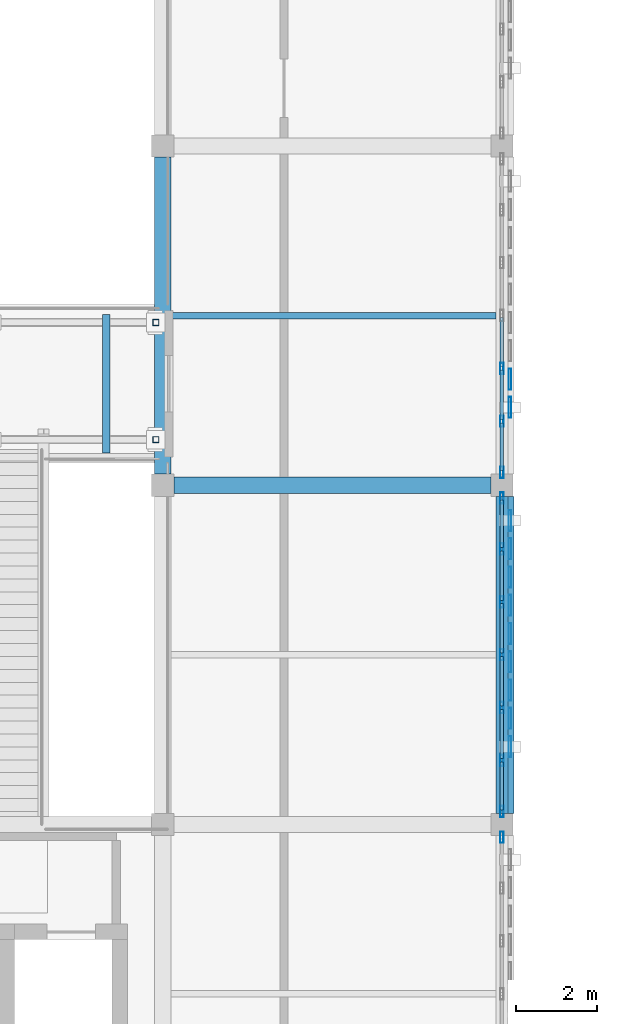
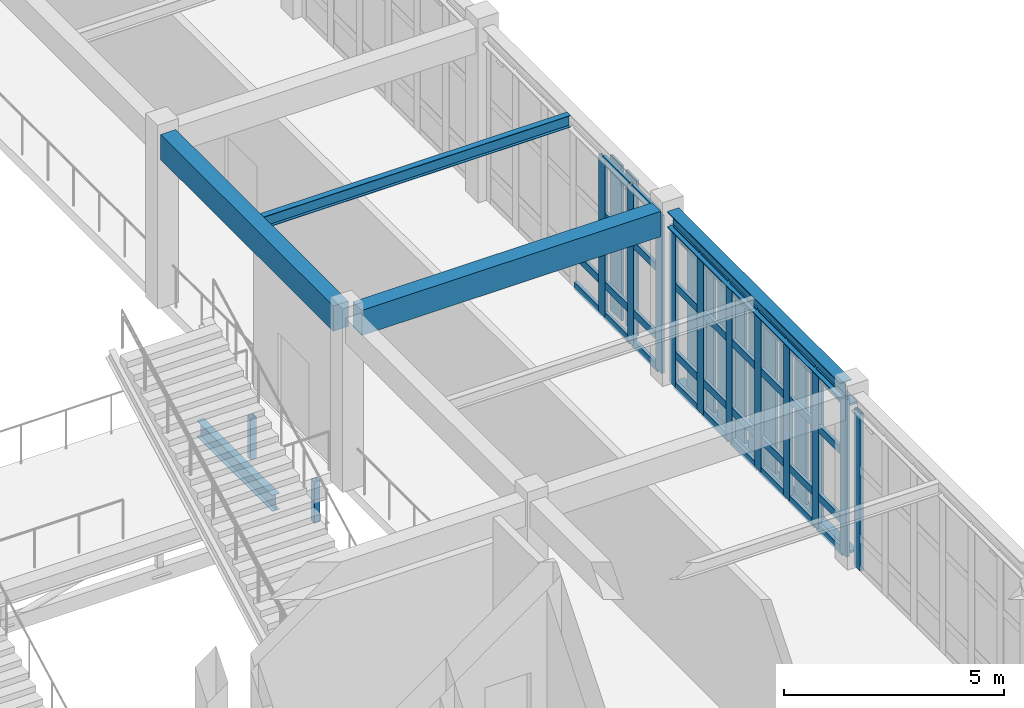
# One storey, part 22 of 93: 60 members, 5 beams, 3 elements without a shape of their own.
"""IFC4 building model written with IfcOpenShell, lengths in metres."""

from ifc_helpers import new_model, si_unit, direction, frame, origin, origin_2d, place, context, subcontext, project, spatial, rectangle, hollow_rectangle, i_section, extrude, material, layer, layer_set, material_profile, profile_set, type_object, element, aggregate, save


model = new_model("IFC4")

# Units and contexts
model_context = context("Model", 3, precision=1e-05, world=origin(), true_north=direction((0.0, 1.0)))
body_context = subcontext(model_context, "Body", "Model", "MODEL_VIEW")
ifc_project = project(units=[si_unit("LENGTHUNIT", "METRE"), si_unit("AREAUNIT", "SQUARE_METRE"), si_unit("VOLUMEUNIT", "CUBIC_METRE"), si_unit("PLANEANGLEUNIT", "RADIAN"), si_unit("MASSUNIT", "GRAM", prefix="KILO")], contexts=[model_context])

# Site, building, storey
site_placement = place(None, origin())
site = spatial("IfcSite", under=ifc_project, at=site_placement, CompositionType="ELEMENT")
building_placement = place(site_placement, origin())
building = spatial("IfcBuilding", under=site, at=building_placement, Name="Krzemoval Escarpment Law Courts", CompositionType="ELEMENT")
storey_placement = place(building_placement, frame((0.0, 0.0, 10.199951171875)))
storey = spatial("IfcBuildingStorey", under=building, at=storey_placement, Name="L02", CompositionType="ELEMENT", Elevation=10.199951171875)

# Beams
ifc_material_1 = material(Name="Concrete C40/50", Category="concrete")
ifc_material_profile_1 = material_profile(ifc_material_1, rectangle(XDim=0.39990234375, YDim=0.699951171875, at=origin_2d()), Name="RCB 400x700")
ifc_profile_set_1 = profile_set([ifc_material_profile_1], Name="Concrete C40/50")
beam_type_1 = type_object("IfcBeamType", Name="BM-RC-400x700", PredefinedType="BEAM", material=ifc_profile_set_1)
for number, where, z_axis, x_axis, name in (
    (1, (33.875, 57.60009765625, 4.469970703125), (1.0, 0.0, 0.0), (0.0, 1.0, 0.0), "Beam FG-L02-1793"),
    (2, (33.60009765625, 57.875, 4.469970703125), (0.0, 1.0, 0.0), (-1.0, 0.0, 0.0), "Beam FG-L02-1897"),
):
    element("IfcBeam", number, at=place(storey_placement, frame(where, z_axis=z_axis, x_axis=x_axis)), inside=storey, type_object=beam_type_1, Name=name, PredefinedType="BEAM", context=body_context, shape_type="SweptSolid", body=[
        extrude(rectangle(XDim=0.39990234375, YDim=0.699951171875, at=origin_2d()), origin(), (0.0, 0.0, 1.0), 7.85009765625),
    ])
ifc_material_2 = material(Name="Steel S355", Category="steel")
ifc_material_profile_2 = material_profile(ifc_material_2, i_section(OverallWidth=0.18994140625, OverallDepth=0.449951171875, WebThickness=0.009521484375, FlangeThickness=0.0146484375, at=origin_2d()), Name="IPE 450")
ifc_profile_set_2 = profile_set([ifc_material_profile_2], Name="Steel S355")
beam_type_2 = type_object("IfcBeamType", Name="BM-S355-IPE450", PredefinedType="BEAM", material=ifc_profile_set_2)
beam_1_placement = place(storey_placement, frame((32.199951171875, 58.39990234375, -0.52490234375), z_axis=(0.0, 1.0, 0.0), x_axis=(-1.0, 0.0, 0.0)))
element("IfcBeam", 3, at=beam_1_placement, inside=storey, type_object=beam_type_2, Name="Bridge Cross Beam BBM-2840", PredefinedType="BEAM", context=body_context, shape_type="SweptSolid", body=[
    extrude(i_section(OverallWidth=0.18994140625, OverallDepth=0.449951171875, WebThickness=0.009521484375, FlangeThickness=0.0146484375, at=origin_2d()), origin(), (0.0, 0.0, 1.0), 3.43017578125),
])

# Curtain wall, members
ifc_material_3 = material(Name="Aluminium 6063-T6", Category="aluminium")
ifc_layer = layer(ifc_material_3, 0.280029296875)
ifc_layer_set = layer_set([ifc_layer], Name="Aluminium 6063-T6")
curtain_wall_type = type_object("IfcCurtainWallType", Name="CW-HALL-5100", PredefinedType="USERDEFINED", material=ifc_layer_set)
curtain_wall_1_placement = place(storey_placement, origin())
curtain_wall_1 = element("IfcCurtainWall", 4, at=curtain_wall_1_placement, inside=storey, type_object=curtain_wall_type, Name="Unitised Curtain Wall FCW-L02-078", ObjectType="UNITISED_CURTAIN_WALL", PredefinedType="USERDEFINED")
ifc_material_4 = material(Name="Aluminium 6063-T6", Category="aluminium")
ifc_material_profile_3 = material_profile(ifc_material_4, hollow_rectangle(XDim=0.0849609375, YDim=0.280029296875, WallThickness=0.005615234375, at=origin_2d()), Name="ALU M85x280")
ifc_profile_set_3 = profile_set([ifc_material_profile_3], Name="Aluminium 6063-T6")
member_type_1 = type_object("IfcMemberType", Name="CWM-85x280", PredefinedType="MULLION", material=ifc_profile_set_3)
member_1_placement = place(storey_placement, frame((42.0, 60.49169921875, 0.0), z_axis=(0.0, 0.0, 1.0), x_axis=(1.0, 0.0, 0.0)))
member_1 = element("IfcMember", 5, at=member_1_placement, type_object=member_type_1, Name="FCW-L02-078 mullion 5", PredefinedType="MULLION", context=body_context, shape_type="SweptSolid", body=[
    extrude(hollow_rectangle(XDim=0.0849609375, YDim=0.280029296875, WallThickness=0.005615234375, at=origin_2d()), origin(), (0.0, 0.0, 1.0), 4.3701171875),
])
member_2_placement = place(storey_placement, frame((42.0, 59.183349609375, 0.0), z_axis=(0.0, 0.0, 1.0), x_axis=(1.0, 0.0, 0.0)))
member_2 = element("IfcMember", 6, at=member_2_placement, type_object=member_type_1, Name="FCW-L02-078 mullion 6", PredefinedType="MULLION", context=body_context, shape_type="SweptSolid", body=[
    extrude(hollow_rectangle(XDim=0.0849609375, YDim=0.280029296875, WallThickness=0.005615234375, at=origin_2d()), origin(), (0.0, 0.0, 1.0), 4.3701171875),
])
member_3_placement = place(storey_placement, frame((42.0, 57.91748046875, 0.0), z_axis=(0.0, 0.0, 1.0), x_axis=(1.0, 0.0, 0.0)))
member_3 = element("IfcMember", 7, at=member_3_placement, type_object=member_type_1, Name="FCW-L02-078 mullion 7", PredefinedType="MULLION", context=body_context, shape_type="SweptSolid", body=[
    extrude(hollow_rectangle(XDim=0.0849609375, YDim=0.280029296875, WallThickness=0.005615234375, at=origin_2d()), origin(), (0.0, 0.0, 1.0), 4.3701171875),
])

curtain_wall_2_placement = place(storey_placement, origin())
curtain_wall_2 = element("IfcCurtainWall", 8, at=curtain_wall_2_placement, inside=storey, type_object=curtain_wall_type, Name="Unitised Curtain Wall FCW-L02-079", ObjectType="UNITISED_CURTAIN_WALL", PredefinedType="USERDEFINED")
member_4_placement = place(storey_placement, frame((42.0, 57.282470703125, 0.0), z_axis=(0.0, 0.0, 1.0), x_axis=(1.0, 0.0, 0.0)))
member_4 = element("IfcMember", 9, at=member_4_placement, type_object=member_type_1, Name="FCW-L02-079 mullion 1", PredefinedType="MULLION", context=body_context, shape_type="SweptSolid", body=[
    extrude(hollow_rectangle(XDim=0.0849609375, YDim=0.280029296875, WallThickness=0.005615234375, at=origin_2d()), origin(), (0.0, 0.0, 1.0), 4.3701171875),
])
member_5_placement = place(storey_placement, frame((42.0, 56.0166015625, 0.0), z_axis=(0.0, 0.0, 1.0), x_axis=(1.0, 0.0, 0.0)))
member_5 = element("IfcMember", 10, at=member_5_placement, type_object=member_type_1, Name="FCW-L02-079 mullion 2", PredefinedType="MULLION", context=body_context, shape_type="SweptSolid", body=[
    extrude(hollow_rectangle(XDim=0.0849609375, YDim=0.280029296875, WallThickness=0.005615234375, at=origin_2d()), origin(), (0.0, 0.0, 1.0), 4.3701171875),
])
member_6_placement = place(storey_placement, frame((42.0, 54.708251953125, 0.0), z_axis=(0.0, 0.0, 1.0), x_axis=(1.0, 0.0, 0.0)))
member_6 = element("IfcMember", 11, at=member_6_placement, type_object=member_type_1, Name="FCW-L02-079 mullion 3", PredefinedType="MULLION", context=body_context, shape_type="SweptSolid", body=[
    extrude(hollow_rectangle(XDim=0.0849609375, YDim=0.280029296875, WallThickness=0.005615234375, at=origin_2d()), origin(), (0.0, 0.0, 1.0), 4.3701171875),
])
member_7_placement = place(storey_placement, frame((42.0, 53.39990234375, 0.0), z_axis=(0.0, 0.0, 1.0), x_axis=(1.0, 0.0, 0.0)))
member_7 = element("IfcMember", 12, at=member_7_placement, type_object=member_type_1, Name="FCW-L02-079 mullion 4", PredefinedType="MULLION", context=body_context, shape_type="SweptSolid", body=[
    extrude(hollow_rectangle(XDim=0.0849609375, YDim=0.280029296875, WallThickness=0.005615234375, at=origin_2d()), origin(), (0.0, 0.0, 1.0), 4.3701171875),
])
member_8_placement = place(storey_placement, frame((42.0, 52.091552734375, 0.0), z_axis=(0.0, 0.0, 1.0), x_axis=(1.0, 0.0, 0.0)))
member_8 = element("IfcMember", 13, at=member_8_placement, type_object=member_type_1, Name="FCW-L02-079 mullion 5", PredefinedType="MULLION", context=body_context, shape_type="SweptSolid", body=[
    extrude(hollow_rectangle(XDim=0.0849609375, YDim=0.280029296875, WallThickness=0.005615234375, at=origin_2d()), origin(), (0.0, 0.0, 1.0), 4.3701171875),
])
member_9_placement = place(storey_placement, frame((42.0, 50.783447265625, 0.0), z_axis=(0.0, 0.0, 1.0), x_axis=(1.0, 0.0, 0.0)))
member_9 = element("IfcMember", 14, at=member_9_placement, type_object=member_type_1, Name="FCW-L02-079 mullion 6", PredefinedType="MULLION", context=body_context, shape_type="SweptSolid", body=[
    extrude(hollow_rectangle(XDim=0.0849609375, YDim=0.280029296875, WallThickness=0.005615234375, at=origin_2d()), origin(), (0.0, 0.0, 1.0), 4.3701171875),
])
member_10_placement = place(storey_placement, frame((42.0, 49.517578125, 0.0), z_axis=(0.0, 0.0, 1.0), x_axis=(1.0, 0.0, 0.0)))
member_10 = element("IfcMember", 15, at=member_10_placement, type_object=member_type_1, Name="FCW-L02-079 mullion 7", PredefinedType="MULLION", context=body_context, shape_type="SweptSolid", body=[
    extrude(hollow_rectangle(XDim=0.0849609375, YDim=0.280029296875, WallThickness=0.005615234375, at=origin_2d()), origin(), (0.0, 0.0, 1.0), 4.3701171875),
])

# Curtain wall, member
curtain_wall_3_placement = place(storey_placement, origin())
curtain_wall_3 = element("IfcCurtainWall", 16, at=curtain_wall_3_placement, inside=storey, type_object=curtain_wall_type, Name="Unitised Curtain Wall FCW-L02-080", ObjectType="UNITISED_CURTAIN_WALL", PredefinedType="USERDEFINED")
member_11_placement = place(storey_placement, frame((42.0, 48.882568359375, 0.0), z_axis=(0.0, 0.0, 1.0), x_axis=(1.0, 0.0, 0.0)))
member_11 = element("IfcMember", 17, at=member_11_placement, type_object=member_type_1, Name="FCW-L02-080 mullion 1", PredefinedType="MULLION", context=body_context, shape_type="SweptSolid", body=[
    extrude(hollow_rectangle(XDim=0.0849609375, YDim=0.280029296875, WallThickness=0.005615234375, at=origin_2d()), origin(), (0.0, 0.0, 1.0), 4.3701171875),
])
aggregate(curtain_wall_3, [member_11])

# Member
ifc_material_5 = material(Name="Aluminium 6063-T6", Category="aluminium")
ifc_material_profile_4 = material_profile(ifc_material_5, hollow_rectangle(XDim=0.0849609375, YDim=0.2099609375, WallThickness=0.005615234375, at=origin_2d()), Name="ALU T85x210")
ifc_profile_set_4 = profile_set([ifc_material_profile_4], Name="Aluminium 6063-T6")
member_type_2 = type_object("IfcMemberType", Name="CWT-85x210", PredefinedType="USERDEFINED", material=ifc_profile_set_4)
member_12_placement = place(storey_placement, frame((42.0, 61.757568359375, 0.04248046875), z_axis=(0.0, -1.0, 0.0), x_axis=(1.0, 0.0, 0.0)))
member_12 = element("IfcMember", 18, at=member_12_placement, type_object=member_type_2, Name="FCW-L02-078 transom 4.1", ObjectType="TRANSOM", PredefinedType="USERDEFINED", context=body_context, shape_type="SweptSolid", body=[
    extrude(hollow_rectangle(XDim=0.0849609375, YDim=0.2099609375, WallThickness=0.005615234375, at=origin_2d()), origin(), (0.0, 0.0, 1.0), 1.223388671875),
])

member_13_placement = place(storey_placement, frame((42.0, 61.757568359375, 0.900146484375), z_axis=(0.0, -1.0, 0.0), x_axis=(1.0, 0.0, 0.0)))
member_13 = element("IfcMember", 19, at=member_13_placement, type_object=member_type_2, Name="FCW-L02-078 transom 4.2", ObjectType="TRANSOM", PredefinedType="USERDEFINED", context=body_context, shape_type="SweptSolid", body=[
    extrude(hollow_rectangle(XDim=0.0849609375, YDim=0.2099609375, WallThickness=0.005615234375, at=origin_2d()), origin(), (0.0, 0.0, 1.0), 1.223388671875),
])

member_14_placement = place(storey_placement, frame((42.0, 60.44921875, 0.04248046875), z_axis=(0.0, -1.0, 0.0), x_axis=(1.0, 0.0, 0.0)))
member_14 = element("IfcMember", 20, at=member_14_placement, type_object=member_type_2, Name="FCW-L02-078 transom 5.1", ObjectType="TRANSOM", PredefinedType="USERDEFINED", context=body_context, shape_type="SweptSolid", body=[
    extrude(hollow_rectangle(XDim=0.0849609375, YDim=0.2099609375, WallThickness=0.005615234375, at=origin_2d()), origin(), (0.0, 0.0, 1.0), 1.223388671875),
])

member_15_placement = place(storey_placement, frame((42.0, 60.44921875, 0.900146484375), z_axis=(0.0, -1.0, 0.0), x_axis=(1.0, 0.0, 0.0)))
member_15 = element("IfcMember", 21, at=member_15_placement, type_object=member_type_2, Name="FCW-L02-078 transom 5.2", ObjectType="TRANSOM", PredefinedType="USERDEFINED", context=body_context, shape_type="SweptSolid", body=[
    extrude(hollow_rectangle(XDim=0.0849609375, YDim=0.2099609375, WallThickness=0.005615234375, at=origin_2d()), origin(), (0.0, 0.0, 1.0), 1.223388671875),
])

member_16_placement = place(storey_placement, frame((42.0, 60.44921875, 2.800048828125), z_axis=(0.0, -1.0, 0.0), x_axis=(1.0, 0.0, 0.0)))
member_16 = element("IfcMember", 22, at=member_16_placement, type_object=member_type_2, Name="FCW-L02-078 transom 5.3", ObjectType="TRANSOM", PredefinedType="USERDEFINED", context=body_context, shape_type="SweptSolid", body=[
    extrude(hollow_rectangle(XDim=0.0849609375, YDim=0.2099609375, WallThickness=0.005615234375, at=origin_2d()), origin(), (0.0, 0.0, 1.0), 1.223388671875),
])

member_17_placement = place(storey_placement, frame((42.0, 60.44921875, 4.32763671875), z_axis=(0.0, -1.0, 0.0), x_axis=(1.0, 0.0, 0.0)))
member_17 = element("IfcMember", 23, at=member_17_placement, type_object=member_type_2, Name="FCW-L02-078 transom 5.4", ObjectType="TRANSOM", PredefinedType="USERDEFINED", context=body_context, shape_type="SweptSolid", body=[
    extrude(hollow_rectangle(XDim=0.0849609375, YDim=0.2099609375, WallThickness=0.005615234375, at=origin_2d()), origin(), (0.0, 0.0, 1.0), 1.223388671875),
])

member_18_placement = place(storey_placement, frame((42.0, 59.140869140625, 0.04248046875), z_axis=(0.0, -1.0, 0.0), x_axis=(1.0, 0.0, 0.0)))
member_18 = element("IfcMember", 24, at=member_18_placement, type_object=member_type_2, Name="FCW-L02-078 transom 6.1", ObjectType="TRANSOM", PredefinedType="USERDEFINED", context=body_context, shape_type="SweptSolid", body=[
    extrude(hollow_rectangle(XDim=0.0849609375, YDim=0.2099609375, WallThickness=0.005615234375, at=origin_2d()), origin(), (0.0, 0.0, 1.0), 1.180908203125),
])

member_19_placement = place(storey_placement, frame((42.0, 59.140869140625, 0.900146484375), z_axis=(0.0, -1.0, 0.0), x_axis=(1.0, 0.0, 0.0)))
member_19 = element("IfcMember", 25, at=member_19_placement, type_object=member_type_2, Name="FCW-L02-078 transom 6.2", ObjectType="TRANSOM", PredefinedType="USERDEFINED", context=body_context, shape_type="SweptSolid", body=[
    extrude(hollow_rectangle(XDim=0.0849609375, YDim=0.2099609375, WallThickness=0.005615234375, at=origin_2d()), origin(), (0.0, 0.0, 1.0), 1.180908203125),
])

member_20_placement = place(storey_placement, frame((42.0, 59.140869140625, 2.800048828125), z_axis=(0.0, -1.0, 0.0), x_axis=(1.0, 0.0, 0.0)))
member_20 = element("IfcMember", 26, at=member_20_placement, type_object=member_type_2, Name="FCW-L02-078 transom 6.3", ObjectType="TRANSOM", PredefinedType="USERDEFINED", context=body_context, shape_type="SweptSolid", body=[
    extrude(hollow_rectangle(XDim=0.0849609375, YDim=0.2099609375, WallThickness=0.005615234375, at=origin_2d()), origin(), (0.0, 0.0, 1.0), 1.180908203125),
])

member_21_placement = place(storey_placement, frame((42.0, 59.140869140625, 4.32763671875), z_axis=(0.0, -1.0, 0.0), x_axis=(1.0, 0.0, 0.0)))
member_21 = element("IfcMember", 27, at=member_21_placement, type_object=member_type_2, Name="FCW-L02-078 transom 6.4", ObjectType="TRANSOM", PredefinedType="USERDEFINED", context=body_context, shape_type="SweptSolid", body=[
    extrude(hollow_rectangle(XDim=0.0849609375, YDim=0.2099609375, WallThickness=0.005615234375, at=origin_2d()), origin(), (0.0, 0.0, 1.0), 1.180908203125),
])

aggregate(curtain_wall_1, [member_1, member_2, member_3, member_12, member_13, member_14, member_15, member_16, member_17, member_18, member_19, member_20, member_21])

member_22_placement = place(storey_placement, frame((42.0, 57.239990234375, 0.04248046875), z_axis=(0.0, -1.0, 0.0), x_axis=(1.0, 0.0, 0.0)))
member_22 = element("IfcMember", 28, at=member_22_placement, type_object=member_type_2, Name="FCW-L02-079 transom 1.1", ObjectType="TRANSOM", PredefinedType="USERDEFINED", context=body_context, shape_type="SweptSolid", body=[
    extrude(hollow_rectangle(XDim=0.0849609375, YDim=0.2099609375, WallThickness=0.005615234375, at=origin_2d()), origin(), (0.0, 0.0, 1.0), 1.180908203125),
])

member_23_placement = place(storey_placement, frame((42.0, 57.239990234375, 0.900146484375), z_axis=(0.0, -1.0, 0.0), x_axis=(1.0, 0.0, 0.0)))
member_23 = element("IfcMember", 29, at=member_23_placement, type_object=member_type_2, Name="FCW-L02-079 transom 1.2", ObjectType="TRANSOM", PredefinedType="USERDEFINED", context=body_context, shape_type="SweptSolid", body=[
    extrude(hollow_rectangle(XDim=0.0849609375, YDim=0.2099609375, WallThickness=0.005615234375, at=origin_2d()), origin(), (0.0, 0.0, 1.0), 1.180908203125),
])

member_24_placement = place(storey_placement, frame((42.0, 57.239990234375, 2.800048828125), z_axis=(0.0, -1.0, 0.0), x_axis=(1.0, 0.0, 0.0)))
member_24 = element("IfcMember", 30, at=member_24_placement, type_object=member_type_2, Name="FCW-L02-079 transom 1.3", ObjectType="TRANSOM", PredefinedType="USERDEFINED", context=body_context, shape_type="SweptSolid", body=[
    extrude(hollow_rectangle(XDim=0.0849609375, YDim=0.2099609375, WallThickness=0.005615234375, at=origin_2d()), origin(), (0.0, 0.0, 1.0), 1.180908203125),
])

member_25_placement = place(storey_placement, frame((42.0, 57.239990234375, 4.32763671875), z_axis=(0.0, -1.0, 0.0), x_axis=(1.0, 0.0, 0.0)))
member_25 = element("IfcMember", 31, at=member_25_placement, type_object=member_type_2, Name="FCW-L02-079 transom 1.4", ObjectType="TRANSOM", PredefinedType="USERDEFINED", context=body_context, shape_type="SweptSolid", body=[
    extrude(hollow_rectangle(XDim=0.0849609375, YDim=0.2099609375, WallThickness=0.005615234375, at=origin_2d()), origin(), (0.0, 0.0, 1.0), 1.180908203125),
])

member_26_placement = place(storey_placement, frame((42.0, 55.97412109375, 0.04248046875), z_axis=(0.0, -1.0, 0.0), x_axis=(1.0, 0.0, 0.0)))
member_26 = element("IfcMember", 32, at=member_26_placement, type_object=member_type_2, Name="FCW-L02-079 transom 2.1", ObjectType="TRANSOM", PredefinedType="USERDEFINED", context=body_context, shape_type="SweptSolid", body=[
    extrude(hollow_rectangle(XDim=0.0849609375, YDim=0.2099609375, WallThickness=0.005615234375, at=origin_2d()), origin(), (0.0, 0.0, 1.0), 1.223388671875),
])

member_27_placement = place(storey_placement, frame((42.0, 55.97412109375, 0.900146484375), z_axis=(0.0, -1.0, 0.0), x_axis=(1.0, 0.0, 0.0)))
member_27 = element("IfcMember", 33, at=member_27_placement, type_object=member_type_2, Name="FCW-L02-079 transom 2.2", ObjectType="TRANSOM", PredefinedType="USERDEFINED", context=body_context, shape_type="SweptSolid", body=[
    extrude(hollow_rectangle(XDim=0.0849609375, YDim=0.2099609375, WallThickness=0.005615234375, at=origin_2d()), origin(), (0.0, 0.0, 1.0), 1.223388671875),
])

member_28_placement = place(storey_placement, frame((42.0, 55.97412109375, 2.800048828125), z_axis=(0.0, -1.0, 0.0), x_axis=(1.0, 0.0, 0.0)))
member_28 = element("IfcMember", 34, at=member_28_placement, type_object=member_type_2, Name="FCW-L02-079 transom 2.3", ObjectType="TRANSOM", PredefinedType="USERDEFINED", context=body_context, shape_type="SweptSolid", body=[
    extrude(hollow_rectangle(XDim=0.0849609375, YDim=0.2099609375, WallThickness=0.005615234375, at=origin_2d()), origin(), (0.0, 0.0, 1.0), 1.223388671875),
])

member_29_placement = place(storey_placement, frame((42.0, 55.97412109375, 4.32763671875), z_axis=(0.0, -1.0, 0.0), x_axis=(1.0, 0.0, 0.0)))
member_29 = element("IfcMember", 35, at=member_29_placement, type_object=member_type_2, Name="FCW-L02-079 transom 2.4", ObjectType="TRANSOM", PredefinedType="USERDEFINED", context=body_context, shape_type="SweptSolid", body=[
    extrude(hollow_rectangle(XDim=0.0849609375, YDim=0.2099609375, WallThickness=0.005615234375, at=origin_2d()), origin(), (0.0, 0.0, 1.0), 1.223388671875),
])

member_30_placement = place(storey_placement, frame((42.0, 54.665771484375, 0.04248046875), z_axis=(0.0, -1.0, 0.0), x_axis=(1.0, 0.0, 0.0)))
member_30 = element("IfcMember", 36, at=member_30_placement, type_object=member_type_2, Name="FCW-L02-079 transom 3.1", ObjectType="TRANSOM", PredefinedType="USERDEFINED", context=body_context, shape_type="SweptSolid", body=[
    extrude(hollow_rectangle(XDim=0.0849609375, YDim=0.2099609375, WallThickness=0.005615234375, at=origin_2d()), origin(), (0.0, 0.0, 1.0), 1.223388671875),
])

member_31_placement = place(storey_placement, frame((42.0, 54.665771484375, 0.900146484375), z_axis=(0.0, -1.0, 0.0), x_axis=(1.0, 0.0, 0.0)))
member_31 = element("IfcMember", 37, at=member_31_placement, type_object=member_type_2, Name="FCW-L02-079 transom 3.2", ObjectType="TRANSOM", PredefinedType="USERDEFINED", context=body_context, shape_type="SweptSolid", body=[
    extrude(hollow_rectangle(XDim=0.0849609375, YDim=0.2099609375, WallThickness=0.005615234375, at=origin_2d()), origin(), (0.0, 0.0, 1.0), 1.223388671875),
])

member_32_placement = place(storey_placement, frame((42.0, 54.665771484375, 2.800048828125), z_axis=(0.0, -1.0, 0.0), x_axis=(1.0, 0.0, 0.0)))
member_32 = element("IfcMember", 38, at=member_32_placement, type_object=member_type_2, Name="FCW-L02-079 transom 3.3", ObjectType="TRANSOM", PredefinedType="USERDEFINED", context=body_context, shape_type="SweptSolid", body=[
    extrude(hollow_rectangle(XDim=0.0849609375, YDim=0.2099609375, WallThickness=0.005615234375, at=origin_2d()), origin(), (0.0, 0.0, 1.0), 1.223388671875),
])

member_33_placement = place(storey_placement, frame((42.0, 54.665771484375, 4.32763671875), z_axis=(0.0, -1.0, 0.0), x_axis=(1.0, 0.0, 0.0)))
member_33 = element("IfcMember", 39, at=member_33_placement, type_object=member_type_2, Name="FCW-L02-079 transom 3.4", ObjectType="TRANSOM", PredefinedType="USERDEFINED", context=body_context, shape_type="SweptSolid", body=[
    extrude(hollow_rectangle(XDim=0.0849609375, YDim=0.2099609375, WallThickness=0.005615234375, at=origin_2d()), origin(), (0.0, 0.0, 1.0), 1.223388671875),
])

member_34_placement = place(storey_placement, frame((42.0, 53.357421875, 0.04248046875), z_axis=(0.0, -1.0, 0.0), x_axis=(1.0, 0.0, 0.0)))
member_34 = element("IfcMember", 40, at=member_34_placement, type_object=member_type_2, Name="FCW-L02-079 transom 4.1", ObjectType="TRANSOM", PredefinedType="USERDEFINED", context=body_context, shape_type="SweptSolid", body=[
    extrude(hollow_rectangle(XDim=0.0849609375, YDim=0.2099609375, WallThickness=0.005615234375, at=origin_2d()), origin(), (0.0, 0.0, 1.0), 1.22314453125),
])

member_35_placement = place(storey_placement, frame((42.0, 53.357421875, 0.900146484375), z_axis=(0.0, -1.0, 0.0), x_axis=(1.0, 0.0, 0.0)))
member_35 = element("IfcMember", 41, at=member_35_placement, type_object=member_type_2, Name="FCW-L02-079 transom 4.2", ObjectType="TRANSOM", PredefinedType="USERDEFINED", context=body_context, shape_type="SweptSolid", body=[
    extrude(hollow_rectangle(XDim=0.0849609375, YDim=0.2099609375, WallThickness=0.005615234375, at=origin_2d()), origin(), (0.0, 0.0, 1.0), 1.22314453125),
])

member_36_placement = place(storey_placement, frame((42.0, 53.357421875, 2.800048828125), z_axis=(0.0, -1.0, 0.0), x_axis=(1.0, 0.0, 0.0)))
member_36 = element("IfcMember", 42, at=member_36_placement, type_object=member_type_2, Name="FCW-L02-079 transom 4.3", ObjectType="TRANSOM", PredefinedType="USERDEFINED", context=body_context, shape_type="SweptSolid", body=[
    extrude(hollow_rectangle(XDim=0.0849609375, YDim=0.2099609375, WallThickness=0.005615234375, at=origin_2d()), origin(), (0.0, 0.0, 1.0), 1.22314453125),
])

member_37_placement = place(storey_placement, frame((42.0, 53.357421875, 4.32763671875), z_axis=(0.0, -1.0, 0.0), x_axis=(1.0, 0.0, 0.0)))
member_37 = element("IfcMember", 43, at=member_37_placement, type_object=member_type_2, Name="FCW-L02-079 transom 4.4", ObjectType="TRANSOM", PredefinedType="USERDEFINED", context=body_context, shape_type="SweptSolid", body=[
    extrude(hollow_rectangle(XDim=0.0849609375, YDim=0.2099609375, WallThickness=0.005615234375, at=origin_2d()), origin(), (0.0, 0.0, 1.0), 1.22314453125),
])

member_38_placement = place(storey_placement, frame((42.0, 52.049072265625, 0.04248046875), z_axis=(0.0, -1.0, 0.0), x_axis=(1.0, 0.0, 0.0)))
member_38 = element("IfcMember", 44, at=member_38_placement, type_object=member_type_2, Name="FCW-L02-079 transom 5.1", ObjectType="TRANSOM", PredefinedType="USERDEFINED", context=body_context, shape_type="SweptSolid", body=[
    extrude(hollow_rectangle(XDim=0.0849609375, YDim=0.2099609375, WallThickness=0.005615234375, at=origin_2d()), origin(), (0.0, 0.0, 1.0), 1.22314453125),
])

member_39_placement = place(storey_placement, frame((42.0, 52.049072265625, 0.900146484375), z_axis=(0.0, -1.0, 0.0), x_axis=(1.0, 0.0, 0.0)))
member_39 = element("IfcMember", 45, at=member_39_placement, type_object=member_type_2, Name="FCW-L02-079 transom 5.2", ObjectType="TRANSOM", PredefinedType="USERDEFINED", context=body_context, shape_type="SweptSolid", body=[
    extrude(hollow_rectangle(XDim=0.0849609375, YDim=0.2099609375, WallThickness=0.005615234375, at=origin_2d()), origin(), (0.0, 0.0, 1.0), 1.22314453125),
])

member_40_placement = place(storey_placement, frame((42.0, 52.049072265625, 2.800048828125), z_axis=(0.0, -1.0, 0.0), x_axis=(1.0, 0.0, 0.0)))
member_40 = element("IfcMember", 46, at=member_40_placement, type_object=member_type_2, Name="FCW-L02-079 transom 5.3", ObjectType="TRANSOM", PredefinedType="USERDEFINED", context=body_context, shape_type="SweptSolid", body=[
    extrude(hollow_rectangle(XDim=0.0849609375, YDim=0.2099609375, WallThickness=0.005615234375, at=origin_2d()), origin(), (0.0, 0.0, 1.0), 1.22314453125),
])

member_41_placement = place(storey_placement, frame((42.0, 52.049072265625, 4.32763671875), z_axis=(0.0, -1.0, 0.0), x_axis=(1.0, 0.0, 0.0)))
member_41 = element("IfcMember", 47, at=member_41_placement, type_object=member_type_2, Name="FCW-L02-079 transom 5.4", ObjectType="TRANSOM", PredefinedType="USERDEFINED", context=body_context, shape_type="SweptSolid", body=[
    extrude(hollow_rectangle(XDim=0.0849609375, YDim=0.2099609375, WallThickness=0.005615234375, at=origin_2d()), origin(), (0.0, 0.0, 1.0), 1.22314453125),
])

member_42_placement = place(storey_placement, frame((42.0, 50.74072265625, 0.04248046875), z_axis=(0.0, -1.0, 0.0), x_axis=(1.0, 0.0, 0.0)))
member_42 = element("IfcMember", 48, at=member_42_placement, type_object=member_type_2, Name="FCW-L02-079 transom 6.1", ObjectType="TRANSOM", PredefinedType="USERDEFINED", context=body_context, shape_type="SweptSolid", body=[
    extrude(hollow_rectangle(XDim=0.0849609375, YDim=0.2099609375, WallThickness=0.005615234375, at=origin_2d()), origin(), (0.0, 0.0, 1.0), 1.1806640625),
])

member_43_placement = place(storey_placement, frame((42.0, 50.74072265625, 0.900146484375), z_axis=(0.0, -1.0, 0.0), x_axis=(1.0, 0.0, 0.0)))
member_43 = element("IfcMember", 49, at=member_43_placement, type_object=member_type_2, Name="FCW-L02-079 transom 6.2", ObjectType="TRANSOM", PredefinedType="USERDEFINED", context=body_context, shape_type="SweptSolid", body=[
    extrude(hollow_rectangle(XDim=0.0849609375, YDim=0.2099609375, WallThickness=0.005615234375, at=origin_2d()), origin(), (0.0, 0.0, 1.0), 1.1806640625),
])

member_44_placement = place(storey_placement, frame((42.0, 50.74072265625, 2.800048828125), z_axis=(0.0, -1.0, 0.0), x_axis=(1.0, 0.0, 0.0)))
member_44 = element("IfcMember", 50, at=member_44_placement, type_object=member_type_2, Name="FCW-L02-079 transom 6.3", ObjectType="TRANSOM", PredefinedType="USERDEFINED", context=body_context, shape_type="SweptSolid", body=[
    extrude(hollow_rectangle(XDim=0.0849609375, YDim=0.2099609375, WallThickness=0.005615234375, at=origin_2d()), origin(), (0.0, 0.0, 1.0), 1.1806640625),
])

member_45_placement = place(storey_placement, frame((42.0, 50.74072265625, 4.32763671875), z_axis=(0.0, -1.0, 0.0), x_axis=(1.0, 0.0, 0.0)))
member_45 = element("IfcMember", 51, at=member_45_placement, type_object=member_type_2, Name="FCW-L02-079 transom 6.4", ObjectType="TRANSOM", PredefinedType="USERDEFINED", context=body_context, shape_type="SweptSolid", body=[
    extrude(hollow_rectangle(XDim=0.0849609375, YDim=0.2099609375, WallThickness=0.005615234375, at=origin_2d()), origin(), (0.0, 0.0, 1.0), 1.1806640625),
])

aggregate(curtain_wall_2, [member_4, member_5, member_6, member_7, member_8, member_9, member_10, member_22, member_23, member_24, member_25, member_26, member_27, member_28, member_29, member_30, member_31, member_32, member_33, member_34, member_35, member_36, member_37, member_38, member_39, member_40, member_41, member_42, member_43, member_44, member_45])

# Beam
ifc_material_6 = material(Name="Steel S355", Category="steel")
ifc_material_profile_5 = material_profile(ifc_material_6, i_section(OverallWidth=0.159912109375, OverallDepth=0.330078125, WebThickness=0.007568359375, FlangeThickness=0.011474609375, at=origin_2d()), Name="IPE 330")
ifc_profile_set_5 = profile_set([ifc_material_profile_5], Name="Steel S355")
beam_type_3 = type_object("IfcBeamType", Name="JST-S355-IPE330", PredefinedType="JOIST", material=ifc_profile_set_5)
beam_2_placement = place(storey_placement, frame((33.800048828125, 61.800048828125, 4.655029296875), z_axis=(1.0, 0.0, 0.0), x_axis=(0.0, 1.0, 0.0)))
element("IfcBeam", 52, at=beam_2_placement, inside=storey, type_object=beam_type_3, Name="Secondary Joist FJ-L02-2027", PredefinedType="JOIST", context=body_context, shape_type="SweptSolid", body=[
    extrude(i_section(OverallWidth=0.159912109375, OverallDepth=0.330078125, WebThickness=0.007568359375, FlangeThickness=0.011474609375, at=origin_2d()), origin(), (0.0, 0.0, 1.0), 8.050048828125),
])

# Members
ifc_material_7 = material(Name="Anodised Aluminium Alloy 6063-T6", Category="aluminium")
ifc_material_profile_6 = material_profile(ifc_material_7, hollow_rectangle(XDim=0.06005859375, YDim=0.320068359375, WallThickness=0.00390625, at=origin_2d()), Name="ALU LVR 60x320")
ifc_profile_set_6 = profile_set([ifc_material_profile_6], Name="Anodised Aluminium Alloy 6063-T6")
member_type_3 = type_object("IfcMemberType", Name="LVR-ALU-320", PredefinedType="USERDEFINED", material=ifc_profile_set_6)
for number, where, z_axis, x_axis, name in (
    (53, (42.139892578125, 57.324951171875, 0.030029296875), (0.0, -1.0, 0.0), (0.0, 0.0, 1.0), "Sunshade Support Rail FSR-L02-0507"),
    (54, (42.139892578125, 57.324951171875, 4.1201171875), (0.0, -1.0, 0.0), (0.0, 0.0, 1.0), "Sunshade Support Rail FSR-L02-0508"),
):
    element("IfcMember", number, at=place(storey_placement, frame(where, z_axis=z_axis, x_axis=x_axis)), inside=storey, type_object=member_type_3, Name=name, ObjectType="SUNSHADE_LOUVRE", PredefinedType="USERDEFINED", context=body_context, shape_type="SweptSolid", body=[
        extrude(hollow_rectangle(XDim=0.06005859375, YDim=0.320068359375, WallThickness=0.00390625, at=origin_2d()), origin(), (0.0, 0.0, 1.0), 7.849853515625),
    ])
ifc_material_8 = material(Name="Anodised Aluminium Alloy 6063-T6", Category="aluminium")
ifc_material_profile_7 = material_profile(ifc_material_8, hollow_rectangle(XDim=0.06494140625, YDim=0.52001953125, WallThickness=0.00439453125, at=origin_2d()), Name="ALU LVR 65x520")
ifc_profile_set_7 = profile_set([ifc_material_profile_7], Name="Anodised Aluminium Alloy 6063-T6")
member_type_4 = type_object("IfcMemberType", Name="LVR-ALU-520", PredefinedType="USERDEFINED", material=ifc_profile_set_7)
for number, where, z_axis, x_axis, name in (
    (55, (42.199951171875, 60.22509765625, 0.06005859375), (0.0, 0.0, 1.0), (1.0, 0.0, 0.0), "Sunshade Louvre Fin FLV-L02-0505"),
    (56, (42.199951171875, 59.52490234375, 0.06005859375), (0.0, 0.0, 1.0), (1.0, 0.0, 0.0), "Sunshade Louvre Fin FLV-L02-0506"),
    (57, (42.199951171875, 56.72509765625, 0.06005859375), (0.0, 0.0, 1.0), (1.0, 0.0, 0.0), "Sunshade Louvre Fin FLV-L02-0509"),
    (58, (42.199951171875, 56.02490234375, 0.06005859375), (0.0, 0.0, 1.0), (1.0, 0.0, 0.0), "Sunshade Louvre Fin FLV-L02-0510"),
    (59, (42.199951171875, 55.324951171875, 0.06005859375), (0.0, 0.0, 1.0), (1.0, 0.0, 0.0), "Sunshade Louvre Fin FLV-L02-0511"),
    (60, (42.199951171875, 54.625, 0.06005859375), (0.0, 0.0, 1.0), (1.0, 0.0, 0.0), "Sunshade Louvre Fin FLV-L02-0512"),
    (61, (42.199951171875, 53.925048828125, 0.06005859375), (0.0, 0.0, 1.0), (1.0, 0.0, 0.0), "Sunshade Louvre Fin FLV-L02-0513"),
    (62, (42.199951171875, 53.22509765625, 0.06005859375), (0.0, 0.0, 1.0), (1.0, 0.0, 0.0), "Sunshade Louvre Fin FLV-L02-0514"),
    (63, (42.199951171875, 52.52490234375, 0.06005859375), (0.0, 0.0, 1.0), (1.0, 0.0, 0.0), "Sunshade Louvre Fin FLV-L02-0515"),
    (64, (42.199951171875, 51.824951171875, 0.06005859375), (0.0, 0.0, 1.0), (1.0, 0.0, 0.0), "Sunshade Louvre Fin FLV-L02-0516"),
    (65, (42.199951171875, 51.125, 0.06005859375), (0.0, 0.0, 1.0), (1.0, 0.0, 0.0), "Sunshade Louvre Fin FLV-L02-0517"),
):
    element("IfcMember", number, at=place(storey_placement, frame(where, z_axis=z_axis, x_axis=x_axis)), inside=storey, type_object=member_type_4, Name=name, ObjectType="SUNSHADE_LOUVRE", PredefinedType="USERDEFINED", context=body_context, shape_type="SweptSolid", body=[
        extrude(hollow_rectangle(XDim=0.06494140625, YDim=0.52001953125, WallThickness=0.00439453125, at=origin_2d()), origin(), (0.0, 0.0, 1.0), 4.31005859375),
    ])
ifc_material_9 = material(Name="Steel S355", Category="steel")
ifc_material_profile_8 = material_profile(ifc_material_9, hollow_rectangle(XDim=0.14990234375, YDim=0.14990234375, WallThickness=0.008056640625, at=origin_2d()), Name="SHS 150x150x8")
ifc_profile_set_8 = profile_set([ifc_material_profile_8], Name="Steel S355")
member_type_5 = type_object("IfcMemberType", Name="MBR-STR-SHS150", PredefinedType="STRUT", material=ifc_profile_set_8)
for number, where, z_axis, x_axis, name in (
    (66, (33.429931640625, 58.72998046875, -1.669921875), (0.0, 0.0, 1.0), (1.0, 0.0, 0.0), "Bridge Truss Strut BST-0127"),
    (67, (33.429931640625, 61.6298828125, -1.669921875), (0.0, 0.0, 1.0), (1.0, 0.0, 0.0), "Bridge Truss Strut BST-0138"),
):
    element("IfcMember", number, at=place(storey_placement, frame(where, z_axis=z_axis, x_axis=x_axis)), inside=storey, type_object=member_type_5, Name=name, PredefinedType="STRUT", context=body_context, shape_type="SweptSolid", body=[
        extrude(hollow_rectangle(XDim=0.14990234375, YDim=0.14990234375, WallThickness=0.008056640625, at=origin_2d()), origin(), (0.0, 0.0, 1.0), 1.14990234375),
    ])

# Beam
ifc_material_10 = material(Name="Steel S355", Category="steel")
ifc_material_profile_9 = material_profile(ifc_material_10, i_section(OverallWidth=0.300048828125, OverallDepth=0.449951171875, WebThickness=0.013916015625, FlangeThickness=0.02587890625, at=origin_2d()), Name="HEB 450")
ifc_profile_set_9 = profile_set([ifc_material_profile_9], Name="Steel S355")
beam_type_4 = type_object("IfcBeamType", Name="SPN-S355-HEB450", PredefinedType="SPANDREL", material=ifc_profile_set_9)
beam_3_placement = place(storey_placement, frame((42.0, 49.47509765625, 4.594970703125), z_axis=(0.0, 1.0, 0.0), x_axis=(-1.0, 0.0, 0.0)))
element("IfcBeam", 68, at=beam_3_placement, inside=storey, type_object=beam_type_4, Name="Beam FG-L02-1911", PredefinedType="SPANDREL", context=body_context, shape_type="SweptSolid", body=[
    extrude(i_section(OverallWidth=0.300048828125, OverallDepth=0.449951171875, WebThickness=0.013916015625, FlangeThickness=0.02587890625, at=origin_2d()), origin(), (0.0, 0.0, 1.0), 7.849853515625),
])

save(model, "model.ifc")
